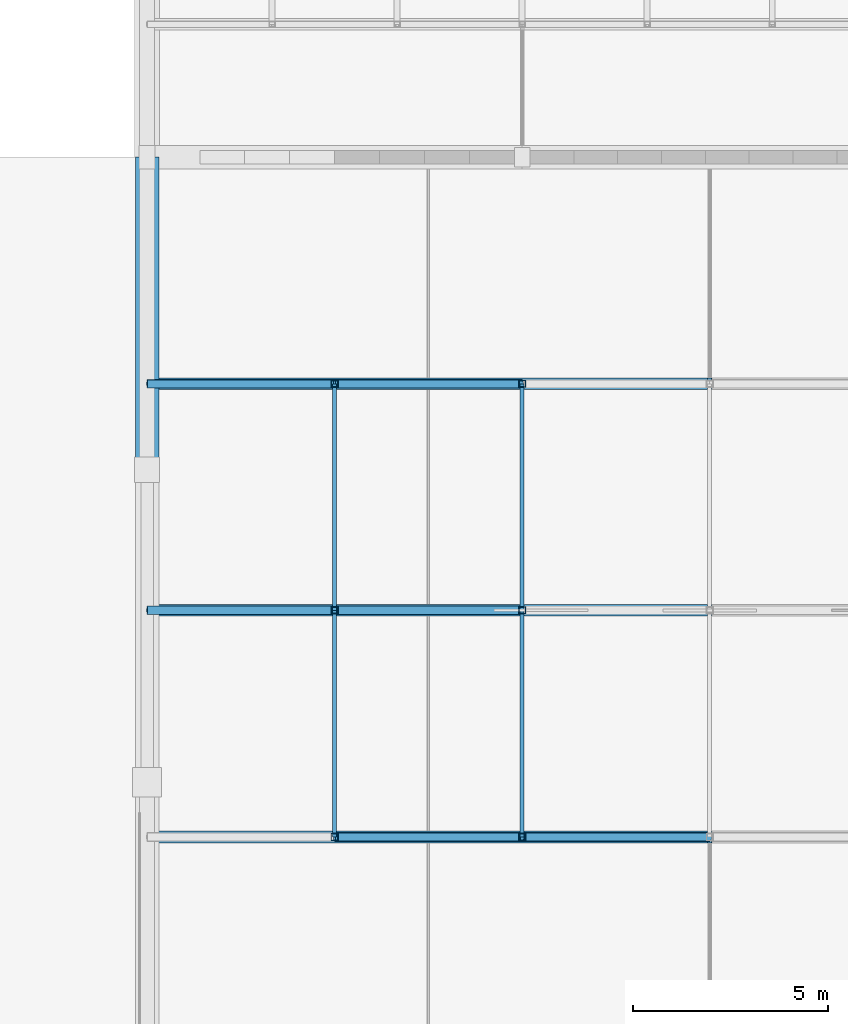
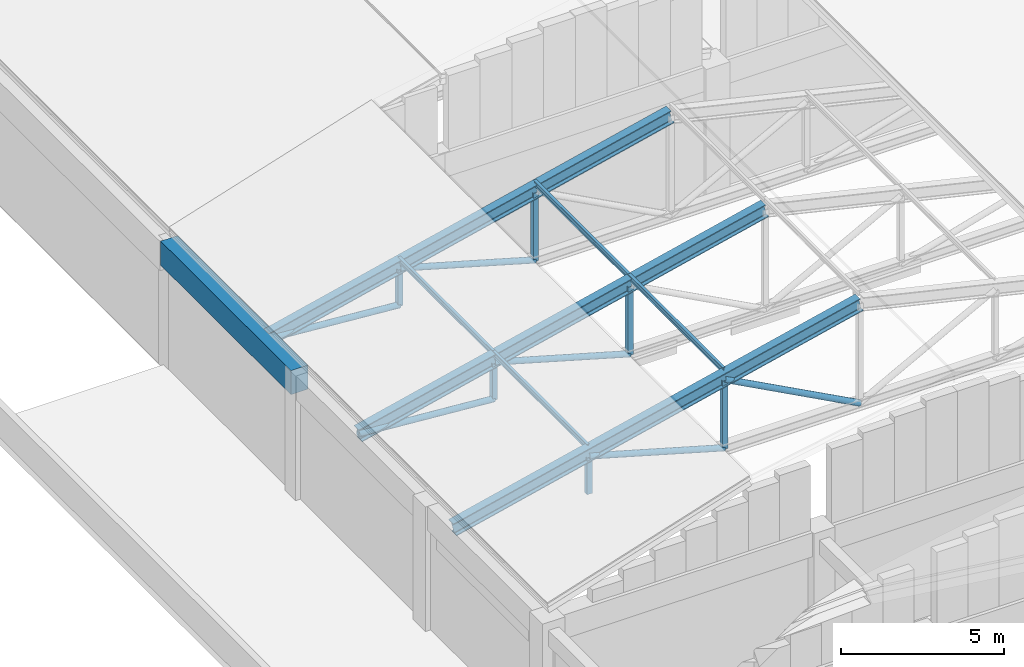
# One storey, part 16 of 61: 19 members, 1 beam.
"""IFC4 building model written with IfcOpenShell, lengths in metres."""

from ifc_helpers import new_model, si_unit, direction, frame, origin, origin_2d, place, context, subcontext, project, spatial, rectangle, hollow_rectangle, hollow_circle, i_section, extrude, material, material_profile, profile_set, type_object, element, save


model = new_model("IFC4")

# Units and contexts
model_context = context("Model", 3, precision=1e-05, world=origin(), true_north=direction((0.0, 1.0)))
body_context = subcontext(model_context, "Body", "Model", "MODEL_VIEW")
ifc_project = project(units=[si_unit("LENGTHUNIT", "METRE"), si_unit("AREAUNIT", "SQUARE_METRE"), si_unit("VOLUMEUNIT", "CUBIC_METRE"), si_unit("PLANEANGLEUNIT", "RADIAN"), si_unit("MASSUNIT", "GRAM", prefix="KILO")], contexts=[model_context])

# Site, building, storey
site_placement = place(None, origin())
site = spatial("IfcSite", under=ifc_project, at=site_placement, CompositionType="ELEMENT")
building_placement = place(site_placement, origin())
building = spatial("IfcBuilding", under=site, at=building_placement, Name="Vellmiral Cinema and Media Centre", CompositionType="ELEMENT")
storey_placement = place(building_placement, frame((0.0, 0.0, 10.800048828125)))
storey = spatial("IfcBuildingStorey", under=building, at=storey_placement, Name="L02", CompositionType="ELEMENT", Elevation=10.800048828125)

# Members
ifc_material_1 = material(Name="Steel S355", Category="steel")
ifc_material_profile_1 = material_profile(ifc_material_1, i_section(OverallWidth=0.10009765625, OverallDepth=0.199951171875, WebThickness=0.005615234375, FlangeThickness=0.008544921875, FilletRadius=0.011962890625, at=origin_2d()), Name="IPE 200")
ifc_profile_set_1 = profile_set([ifc_material_profile_1], Name="Steel S355")
member_type_1 = type_object("IfcMemberType", Name="PRL-IPE200", PredefinedType="PURLIN", material=ifc_profile_set_1)
member_1_placement = place(storey_placement, frame((11.199951171875, 77.800048828125, 5.86181640625), z_axis=(0.0, 1.0, 0.0), x_axis=(-1.0, 0.0, 0.0)))
element("IfcMember", 1, at=member_1_placement, inside=storey, type_object=member_type_1, Name="Roof Purlin 3.1.1", PredefinedType="PURLIN", context=body_context, shape_type="SweptSolid", body=[
    extrude(i_section(OverallWidth=0.10009765625, OverallDepth=0.199951171875, WebThickness=0.005615234375, FlangeThickness=0.008544921875, FilletRadius=0.011962890625, at=origin_2d()), origin(), (0.0, 0.0, 1.0), 5.800048828125),
])
member_2_placement = place(storey_placement, frame((11.199951171875, 83.60009765625, 5.86181640625), z_axis=(0.0, 1.0, 0.0), x_axis=(-1.0, 0.0, 0.0)))
element("IfcMember", 2, at=member_2_placement, inside=storey, type_object=member_type_1, Name="Roof Purlin 3.1.2", PredefinedType="PURLIN", context=body_context, shape_type="SweptSolid", body=[
    extrude(i_section(OverallWidth=0.10009765625, OverallDepth=0.199951171875, WebThickness=0.005615234375, FlangeThickness=0.008544921875, FilletRadius=0.011962890625, at=origin_2d()), origin(), (0.0, 0.0, 1.0), 5.7998046875),
])
member_3_placement = place(storey_placement, frame((16.0, 77.800048828125, 7.058349609375), z_axis=(0.0, 1.0, 0.0), x_axis=(-1.0, 0.0, 0.0)))
element("IfcMember", 3, at=member_3_placement, inside=storey, type_object=member_type_1, Name="Roof Purlin 3.2.1", PredefinedType="PURLIN", context=body_context, shape_type="SweptSolid", body=[
    extrude(i_section(OverallWidth=0.10009765625, OverallDepth=0.199951171875, WebThickness=0.005615234375, FlangeThickness=0.008544921875, FilletRadius=0.011962890625, at=origin_2d()), origin(), (0.0, 0.0, 1.0), 5.800048828125),
])
member_4_placement = place(storey_placement, frame((16.0, 83.60009765625, 7.058349609375), z_axis=(0.0, 1.0, 0.0), x_axis=(-1.0, 0.0, 0.0)))
element("IfcMember", 4, at=member_4_placement, inside=storey, type_object=member_type_1, Name="Roof Purlin 3.2.2", PredefinedType="PURLIN", context=body_context, shape_type="SweptSolid", body=[
    extrude(i_section(OverallWidth=0.10009765625, OverallDepth=0.199951171875, WebThickness=0.005615234375, FlangeThickness=0.008544921875, FilletRadius=0.011962890625, at=origin_2d()), origin(), (0.0, 0.0, 1.0), 5.7998046875),
])

# Beam
ifc_material_2 = material(Name="Concrete C40/50", Category="concrete")
ifc_material_profile_2 = material_profile(ifc_material_2, rectangle(XDim=0.60009765625, YDim=0.89990234375, at=origin_2d()), Name="RC 600x900")
ifc_profile_set_2 = profile_set([ifc_material_profile_2], Name="Concrete C40/50")
beam_type = type_object("IfcBeamType", Name="RING-BM-600x900", PredefinedType="BEAM", material=ifc_profile_set_2)
beam_placement = place(storey_placement, frame((6.39990234375, 87.199951171875, 4.349853515625), z_axis=(0.0, 1.0, 0.0), x_axis=(-1.0, 0.0, 0.0)))
element("IfcBeam", 5, at=beam_placement, inside=storey, type_object=beam_type, Name="Cinema Screen 3 Ring Beam 09", PredefinedType="BEAM", context=body_context, shape_type="SweptSolid", body=[
    extrude(rectangle(XDim=0.60009765625, YDim=0.89990234375, at=origin_2d()), origin(), (0.0, 0.0, 1.0), 8.0),
])

# Members
ifc_material_3 = material(Name="Steel S355", Category="steel")
ifc_material_profile_3 = material_profile(ifc_material_3, hollow_circle(Radius=0.109619140625, WallThickness=0.010009765625, at=origin_2d()), Name="CHS 219.1x10.0")
ifc_profile_set_3 = profile_set([ifc_material_profile_3], Name="Steel S355")
member_type_2 = type_object("IfcMemberType", Name="TBR-CHS219", PredefinedType="BRACE", material=ifc_profile_set_3)
member_5_placement = place(storey_placement, frame((11.199951171875, 77.800048828125, 5.521728515625), z_axis=(0.961503645198, 0.0, -0.27479217651), x_axis=(0.0, 1.0, 0.0)))
element("IfcMember", 6, at=member_5_placement, inside=storey, type_object=member_type_2, Name="Roof Truss TR-03.1 Diagonal 2", PredefinedType="BRACE", context=body_context, shape_type="SweptSolid", body=[
    extrude(hollow_circle(Radius=0.109619140625, WallThickness=0.010009765625, at=origin_2d()), origin(), (0.0, 0.0, 1.0), 4.9921875),
])
member_6_placement = place(storey_placement, frame((16.0, 77.800048828125, 6.718505859375), z_axis=(0.88169787888, 0.0, -0.471814423666), x_axis=(0.0, 1.0, 0.0)))
element("IfcMember", 7, at=member_6_placement, inside=storey, type_object=member_type_2, Name="Roof Truss TR-03.1 Diagonal 3", PredefinedType="BRACE", context=body_context, shape_type="SweptSolid", body=[
    extrude(hollow_circle(Radius=0.109619140625, WallThickness=0.010009765625, at=origin_2d()), origin(), (0.0, 0.0, 1.0), 5.444091796875),
])
member_7_placement = place(storey_placement, frame((6.39990234375, 83.60009765625, 4.52001953125), z_axis=(0.997040448581, 0.0, -0.076878761001), x_axis=(0.0, 1.0, 0.0)))
element("IfcMember", 8, at=member_7_placement, inside=storey, type_object=member_type_2, Name="Roof Truss TR-03.2 Diagonal 1", PredefinedType="BRACE", context=body_context, shape_type="SweptSolid", body=[
    extrude(hollow_circle(Radius=0.109619140625, WallThickness=0.010009765625, at=origin_2d()), origin(), (0.0, 0.0, 1.0), 4.814208984375),
])
member_8_placement = place(storey_placement, frame((11.199951171875, 83.60009765625, 5.521728515625), z_axis=(0.961503645198, 0.0, -0.27479217651), x_axis=(0.0, 1.0, 0.0)))
element("IfcMember", 9, at=member_8_placement, inside=storey, type_object=member_type_2, Name="Roof Truss TR-03.2 Diagonal 2", PredefinedType="BRACE", context=body_context, shape_type="SweptSolid", body=[
    extrude(hollow_circle(Radius=0.109619140625, WallThickness=0.010009765625, at=origin_2d()), origin(), (0.0, 0.0, 1.0), 4.9921875),
])
member_9_placement = place(storey_placement, frame((6.39990234375, 89.39990234375, 4.52001953125), z_axis=(0.997040448581, 0.0, -0.076878761001), x_axis=(0.0, 1.0, 0.0)))
element("IfcMember", 10, at=member_9_placement, inside=storey, type_object=member_type_2, Name="Roof Truss TR-03.3 Diagonal 1", PredefinedType="BRACE", context=body_context, shape_type="SweptSolid", body=[
    extrude(hollow_circle(Radius=0.109619140625, WallThickness=0.010009765625, at=origin_2d()), origin(), (0.0, 0.0, 1.0), 4.814208984375),
])
member_10_placement = place(storey_placement, frame((11.199951171875, 89.39990234375, 5.521728515625), z_axis=(0.961503645198, 0.0, -0.27479217651), x_axis=(0.0, 1.0, 0.0)))
element("IfcMember", 11, at=member_10_placement, inside=storey, type_object=member_type_2, Name="Roof Truss TR-03.3 Diagonal 2", PredefinedType="BRACE", context=body_context, shape_type="SweptSolid", body=[
    extrude(hollow_circle(Radius=0.109619140625, WallThickness=0.010009765625, at=origin_2d()), origin(), (0.0, 0.0, 1.0), 4.9921875),
])
ifc_material_4 = material(Name="Steel S355", Category="steel")
ifc_material_profile_4 = material_profile(ifc_material_4, hollow_rectangle(XDim=0.179931640625, YDim=0.179931640625, WallThickness=0.010009765625, at=origin_2d()), Name="SHS 180x180x10.0")
ifc_profile_set_4 = profile_set([ifc_material_profile_4], Name="Steel S355")
member_type_3 = type_object("IfcMemberType", Name="TBR-SHS180", PredefinedType="BRACE", material=ifc_profile_set_4)
member_11_placement = place(storey_placement, frame((11.199951171875, 77.800048828125, 4.14990234375), z_axis=(0.0, 0.0, 1.0), x_axis=(1.0, 0.0, 0.0)))
element("IfcMember", 12, at=member_11_placement, inside=storey, type_object=member_type_3, Name="Roof Truss TR-03.1 Post 1", PredefinedType="BRACE", context=body_context, shape_type="SweptSolid", body=[
    extrude(hollow_rectangle(XDim=0.179931640625, YDim=0.179931640625, WallThickness=0.010009765625, at=origin_2d()), origin(), (0.0, 0.0, 1.0), 1.371826171875),
])
member_12_placement = place(storey_placement, frame((16.0, 77.800048828125, 4.14990234375), z_axis=(0.0, 0.0, 1.0), x_axis=(1.0, 0.0, 0.0)))
element("IfcMember", 13, at=member_12_placement, inside=storey, type_object=member_type_3, Name="Roof Truss TR-03.1 Post 2", PredefinedType="BRACE", context=body_context, shape_type="SweptSolid", body=[
    extrude(hollow_rectangle(XDim=0.179931640625, YDim=0.179931640625, WallThickness=0.010009765625, at=origin_2d()), origin(), (0.0, 0.0, 1.0), 2.568603515625),
])
member_13_placement = place(storey_placement, frame((11.199951171875, 83.60009765625, 4.14990234375), z_axis=(0.0, 0.0, 1.0), x_axis=(1.0, 0.0, 0.0)))
element("IfcMember", 14, at=member_13_placement, inside=storey, type_object=member_type_3, Name="Roof Truss TR-03.2 Post 1", PredefinedType="BRACE", context=body_context, shape_type="SweptSolid", body=[
    extrude(hollow_rectangle(XDim=0.179931640625, YDim=0.179931640625, WallThickness=0.010009765625, at=origin_2d()), origin(), (0.0, 0.0, 1.0), 1.371826171875),
])
member_14_placement = place(storey_placement, frame((16.0, 83.60009765625, 4.14990234375), z_axis=(0.0, 0.0, 1.0), x_axis=(1.0, 0.0, 0.0)))
element("IfcMember", 15, at=member_14_placement, inside=storey, type_object=member_type_3, Name="Roof Truss TR-03.2 Post 2", PredefinedType="BRACE", context=body_context, shape_type="SweptSolid", body=[
    extrude(hollow_rectangle(XDim=0.179931640625, YDim=0.179931640625, WallThickness=0.010009765625, at=origin_2d()), origin(), (0.0, 0.0, 1.0), 2.568603515625),
])
member_15_placement = place(storey_placement, frame((11.199951171875, 89.39990234375, 4.14990234375), z_axis=(0.0, 0.0, 1.0), x_axis=(1.0, 0.0, 0.0)))
element("IfcMember", 16, at=member_15_placement, inside=storey, type_object=member_type_3, Name="Roof Truss TR-03.3 Post 1", PredefinedType="BRACE", context=body_context, shape_type="SweptSolid", body=[
    extrude(hollow_rectangle(XDim=0.179931640625, YDim=0.179931640625, WallThickness=0.010009765625, at=origin_2d()), origin(), (0.0, 0.0, 1.0), 1.371826171875),
])
member_16_placement = place(storey_placement, frame((16.0, 89.39990234375, 4.14990234375), z_axis=(0.0, 0.0, 1.0), x_axis=(1.0, 0.0, 0.0)))
element("IfcMember", 17, at=member_16_placement, inside=storey, type_object=member_type_3, Name="Roof Truss TR-03.3 Post 2", PredefinedType="BRACE", context=body_context, shape_type="SweptSolid", body=[
    extrude(hollow_rectangle(XDim=0.179931640625, YDim=0.179931640625, WallThickness=0.010009765625, at=origin_2d()), origin(), (0.0, 0.0, 1.0), 2.568603515625),
])
ifc_material_5 = material(Name="Steel S355", Category="steel")
ifc_material_profile_5 = material_profile(ifc_material_5, i_section(OverallWidth=0.300048828125, OverallDepth=0.5, WebThickness=0.014404296875, FlangeThickness=0.028076171875, FilletRadius=0.027099609375, at=origin_2d()), Name="HEB 500")
ifc_profile_set_5 = profile_set([ifc_material_profile_5], Name="Steel S355")
member_type_4 = type_object("IfcMemberType", Name="TCH-HEB500", PredefinedType="CHORD", material=ifc_profile_set_5)
for number, where, z_axis, x_axis, name in (
    (18, (6.39990234375, 77.800048828125, 4.52001953125), (0.973311671689, 0.0, 0.229487232223), (0.0, 1.0, 0.0), "Roof Truss TR-03.1 Top Chord W"),
    (19, (6.39990234375, 83.60009765625, 4.52001953125), (0.973311671689, 0.0, 0.229487232223), (0.0, 1.0, 0.0), "Roof Truss TR-03.2 Top Chord W"),
    (20, (6.39990234375, 89.39990234375, 4.52001953125), (0.973311671689, 0.0, 0.229487232223), (0.0, 1.0, 0.0), "Roof Truss TR-03.3 Top Chord W"),
):
    element("IfcMember", number, at=place(storey_placement, frame(where, z_axis=z_axis, x_axis=x_axis)), inside=storey, type_object=member_type_4, Name=name, PredefinedType="CHORD", context=body_context, shape_type="SweptSolid", body=[
        extrude(i_section(OverallWidth=0.300048828125, OverallDepth=0.5, WebThickness=0.014404296875, FlangeThickness=0.028076171875, FilletRadius=0.027099609375, at=origin_2d()), origin(), (0.0, 0.0, 1.0), 14.794921875),
    ])

save(model, "model.ifc")
